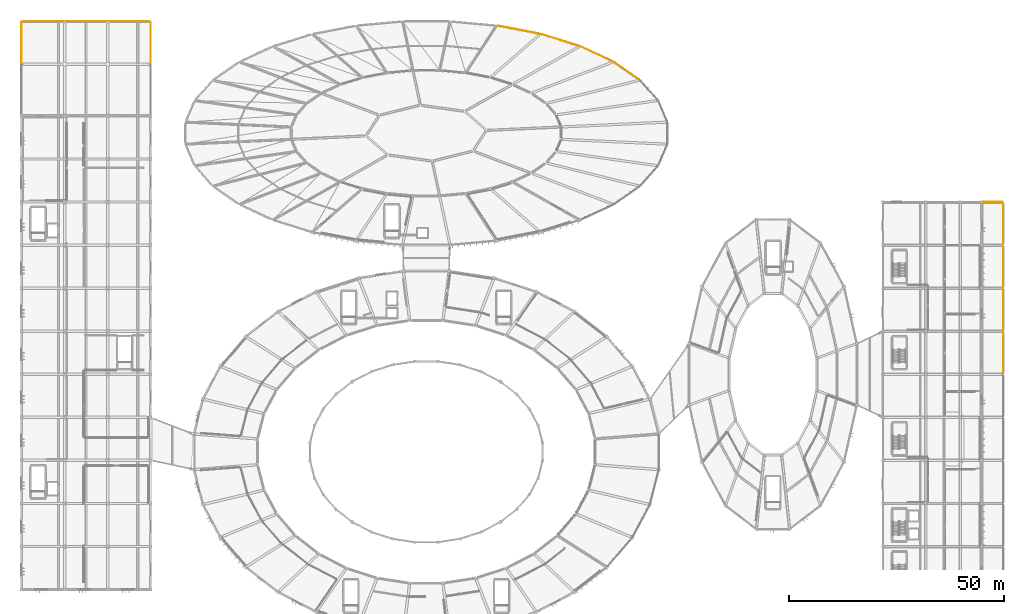
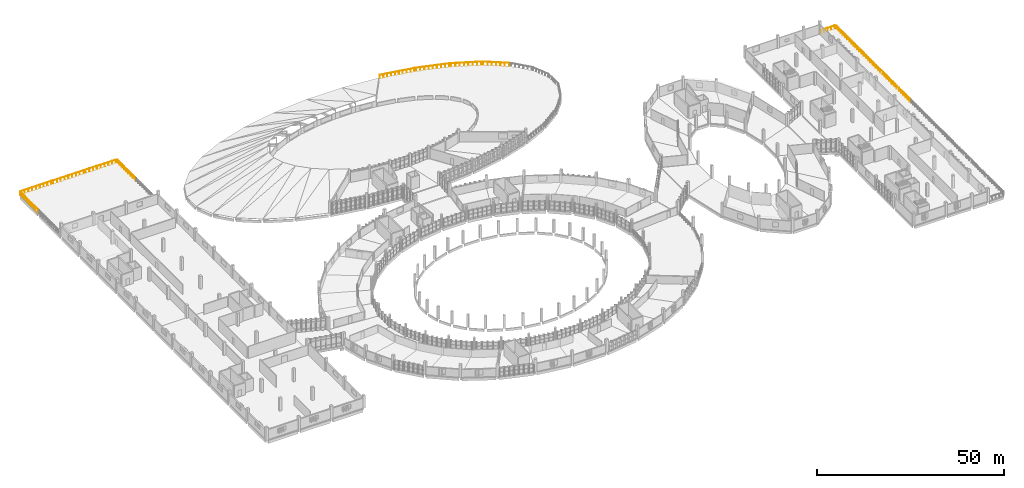
# One storey, part 142 of 142: 14 railings.
"""IFC4 building model written with IfcOpenShell, lengths in metres."""

from ifc_helpers import new_model, si_unit, direction, frame, origin, origin_2d, place, context, subcontext, project, spatial, circle, extrude, material, layer, layer_set, type_object, element, save


model = new_model("IFC4")

# Units and contexts
model_context = context("Model", 3, precision=1e-05, world=origin(), true_north=direction((0.0, 1.0)))
body_context = subcontext(model_context, "Body", "Model", "MODEL_VIEW")
ifc_project = project(units=[si_unit("LENGTHUNIT", "METRE"), si_unit("AREAUNIT", "SQUARE_METRE"), si_unit("VOLUMEUNIT", "CUBIC_METRE"), si_unit("PLANEANGLEUNIT", "RADIAN"), si_unit("MASSUNIT", "GRAM", prefix="KILO")], contexts=[model_context])

# Site, building, storey
site_placement = place(None, origin())
site = spatial("IfcSite", under=ifc_project, at=site_placement, CompositionType="ELEMENT")
building_placement = place(site_placement, origin())
building = spatial("IfcBuilding", under=site, at=building_placement, Name="Corvandel Quay Wholesale Market", CompositionType="ELEMENT")
storey_placement = place(building_placement, frame((0.0, 0.0, 10.800048828125)))
storey = spatial("IfcBuildingStorey", under=building, at=storey_placement, Name="L02", CompositionType="ELEMENT", Elevation=10.800048828125)

# Railings
ifc_material = material(Name="Hot-dip galvanised painted steel", Category="steel")
ifc_layer = layer(ifc_material, 0.06005859375)
ifc_layer_set = layer_set([ifc_layer], Name="Hot-dip galvanised painted steel")
railing_type = type_object("IfcRailingType", Name="Galvanised Steel Guard Balustrade GR01 1100mm", PredefinedType="BALUSTRADE", material=ifc_layer_set)
railing_1_placement = place(storey_placement, frame((163.429931640625, 128.452880859375, 0.0)))
element("IfcRailing", 1, at=railing_1_placement, inside=storey, type_object=railing_type, Name="Oval Roof Garden Guard GR-0011", PredefinedType="BALUSTRADE", context=body_context, shape_type="SweptSolid", body=[
    extrude(circle(Radius=0.02392578125, at=origin_2d()), frame((0.0, 0.0, 1.076171875), z_axis=(-0.821263481182, 0.57054911662, 0.0), x_axis=(-0.57054911662, -0.821263481182, 0.0)), (0.0, 0.0, 1.0), 6.98291015625),
    extrude(circle(Radius=0.02099609375, at=origin_2d()), origin(), (0.0, 0.0, 1.0), 1.052001953125),
    extrude(circle(Radius=0.02099609375, at=origin_2d()), frame((-0.955810546875, 0.6640625, 0.0)), (0.0, 0.0, 1.0), 1.052001953125),
    extrude(circle(Radius=0.02099609375, at=origin_2d()), frame((-1.91162109375, 1.328125, 0.0)), (0.0, 0.0, 1.0), 1.052001953125),
    extrude(circle(Radius=0.02099609375, at=origin_2d()), frame((-2.867431640625, 1.9921875, 0.0)), (0.0, 0.0, 1.0), 1.052001953125),
    extrude(circle(Radius=0.02099609375, at=origin_2d()), frame((-3.8232421875, 2.656005859375, 0.0)), (0.0, 0.0, 1.0), 1.052001953125),
    extrude(circle(Radius=0.02099609375, at=origin_2d()), frame((-4.779052734375, 3.320068359375, 0.0)), (0.0, 0.0, 1.0), 1.052001953125),
    extrude(circle(Radius=0.02099609375, at=origin_2d()), frame((-5.73486328125, 3.984130859375, 0.0)), (0.0, 0.0, 1.0), 1.052001953125),
])
railing_2_placement = place(storey_placement, frame((157.280029296875, 132.675048828125, 0.0)))
element("IfcRailing", 2, at=railing_2_placement, inside=storey, type_object=railing_type, Name="Oval Roof Garden Guard GR-0012", PredefinedType="BALUSTRADE", context=body_context, shape_type="SweptSolid", body=[
    extrude(circle(Radius=0.02392578125, at=origin_2d()), frame((0.0, 0.0, 1.076171875), z_axis=(-0.906965894859, 0.421204066412, 0.0), x_axis=(-0.421204066412, -0.906965894859, 0.0)), (0.0, 0.0, 1.0), 8.119384765625),
    extrude(circle(Radius=0.02099609375, at=origin_2d()), origin(), (0.0, 0.0, 1.0), 1.052001953125),
    extrude(circle(Radius=0.02099609375, at=origin_2d()), frame((-1.052001953125, 0.488525390625, 0.0)), (0.0, 0.0, 1.0), 1.052001953125),
    extrude(circle(Radius=0.02099609375, at=origin_2d()), frame((-2.10400390625, 0.97705078125, 0.0)), (0.0, 0.0, 1.0), 1.052001953125),
    extrude(circle(Radius=0.02099609375, at=origin_2d()), frame((-3.156005859375, 1.465576171875, 0.0)), (0.0, 0.0, 1.0), 1.052001953125),
    extrude(circle(Radius=0.02099609375, at=origin_2d()), frame((-4.2080078125, 1.954345703125, 0.0)), (0.0, 0.0, 1.0), 1.052001953125),
    extrude(circle(Radius=0.02099609375, at=origin_2d()), frame((-5.260009765625, 2.44287109375, 0.0)), (0.0, 0.0, 1.0), 1.052001953125),
    extrude(circle(Radius=0.02099609375, at=origin_2d()), frame((-6.31201171875, 2.931396484375, 0.0)), (0.0, 0.0, 1.0), 1.052001953125),
    extrude(circle(Radius=0.02099609375, at=origin_2d()), frame((-7.364013671875, 3.419921875, 0.0)), (0.0, 0.0, 1.0), 1.052001953125),
])
railing_3_placement = place(storey_placement, frame((149.468994140625, 136.26708984375, 0.0)))
element("IfcRailing", 3, at=railing_3_placement, inside=storey, type_object=railing_type, Name="Oval Roof Garden Guard GR-0013", PredefinedType="BALUSTRADE", context=body_context, shape_type="SweptSolid", body=[
    extrude(circle(Radius=0.02392578125, at=origin_2d()), frame((0.0, 0.0, 1.076171875), z_axis=(-0.955110619628, 0.296249395397, 0.0), x_axis=(-0.296249395397, -0.955110619628, 0.0)), (0.0, 0.0, 1.0), 9.123779296875),
    extrude(circle(Radius=0.02099609375, at=origin_2d()), origin(), (0.0, 0.0, 1.0), 1.052001953125),
    extrude(circle(Radius=0.02099609375, at=origin_2d()), frame((-1.08935546875, 0.337890625, 0.0)), (0.0, 0.0, 1.0), 1.052001953125),
    extrude(circle(Radius=0.02099609375, at=origin_2d()), frame((-2.178466796875, 0.67578125, 0.0)), (0.0, 0.0, 1.0), 1.052001953125),
    extrude(circle(Radius=0.02099609375, at=origin_2d()), frame((-3.267822265625, 1.013671875, 0.0)), (0.0, 0.0, 1.0), 1.052001953125),
    extrude(circle(Radius=0.02099609375, at=origin_2d()), frame((-4.35693359375, 1.3515625, 0.0)), (0.0, 0.0, 1.0), 1.052001953125),
    extrude(circle(Radius=0.02099609375, at=origin_2d()), frame((-5.4462890625, 1.689208984375, 0.0)), (0.0, 0.0, 1.0), 1.052001953125),
    extrude(circle(Radius=0.02099609375, at=origin_2d()), frame((-6.53564453125, 2.027099609375, 0.0)), (0.0, 0.0, 1.0), 1.052001953125),
    extrude(circle(Radius=0.02099609375, at=origin_2d()), frame((-7.624755859375, 2.364990234375, 0.0)), (0.0, 0.0, 1.0), 1.052001953125),
    extrude(circle(Radius=0.02099609375, at=origin_2d()), frame((-8.714111328125, 2.702880859375, 0.0)), (0.0, 0.0, 1.0), 1.052001953125),
])
railing_4_placement = place(storey_placement, frame((140.2900390625, 139.0859375, 0.0)))
element("IfcRailing", 4, at=railing_4_placement, inside=storey, type_object=railing_type, Name="Oval Roof Garden Guard GR-0014", PredefinedType="BALUSTRADE", context=body_context, shape_type="SweptSolid", body=[
    extrude(circle(Radius=0.02392578125, at=origin_2d()), frame((0.0, 0.0, 1.076171875), z_axis=(-0.981986207708, 0.188952607477, 0.0), x_axis=(-0.188952607477, -0.981986207708, 0.0)), (0.0, 0.0, 1.0), 9.897216796875),
    extrude(circle(Radius=0.02099609375, at=origin_2d()), origin(), (0.0, 0.0, 1.0), 1.052001953125),
    extrude(circle(Radius=0.02099609375, at=origin_2d()), frame((-1.079833984375, 0.207763671875, 0.0)), (0.0, 0.0, 1.0), 1.052001953125),
    extrude(circle(Radius=0.02099609375, at=origin_2d()), frame((-2.15966796875, 0.41552734375, 0.0)), (0.0, 0.0, 1.0), 1.052001953125),
    extrude(circle(Radius=0.02099609375, at=origin_2d()), frame((-3.23974609375, 0.623291015625, 0.0)), (0.0, 0.0, 1.0), 1.052001953125),
    extrude(circle(Radius=0.02099609375, at=origin_2d()), frame((-4.319580078125, 0.8310546875, 0.0)), (0.0, 0.0, 1.0), 1.052001953125),
    extrude(circle(Radius=0.02099609375, at=origin_2d()), frame((-5.3994140625, 1.0390625, 0.0)), (0.0, 0.0, 1.0), 1.052001953125),
    extrude(circle(Radius=0.02099609375, at=origin_2d()), frame((-6.479248046875, 1.246826171875, 0.0)), (0.0, 0.0, 1.0), 1.052001953125),
    extrude(circle(Radius=0.02099609375, at=origin_2d()), frame((-7.559326171875, 1.45458984375, 0.0)), (0.0, 0.0, 1.0), 1.052001953125),
    extrude(circle(Radius=0.02099609375, at=origin_2d()), frame((-8.63916015625, 1.662353515625, 0.0)), (0.0, 0.0, 1.0), 1.052001953125),
    extrude(circle(Radius=0.02099609375, at=origin_2d()), frame((-9.718994140625, 1.8701171875, 0.0)), (0.0, 0.0, 1.0), 1.052001953125),
])
for number, where, name in (
    (5, (20.0, 132.300048828125, 0.0), "Cold Block Roof Terrace Guard GR-0022"),
    (6, (50.0, 132.300048828125, 0.0), "Cold Block East Terrace Guard GR-0023"),
):
    element("IfcRailing", number, at=place(storey_placement, frame(where)), inside=storey, type_object=railing_type, Name=name, PredefinedType="BALUSTRADE", context=body_context, shape_type="SweptSolid", body=[
        extrude(circle(Radius=0.02392578125, at=origin_2d()), frame((0.0, 0.0, 1.076171875), z_axis=(0.0, 1.0, 0.0), x_axis=(-1.0, 0.0, 0.0)), (0.0, 0.0, 1.0), 9.39990234375),
        extrude(circle(Radius=0.02099609375, at=origin_2d()), origin(), (0.0, 0.0, 1.0), 1.052001953125),
        extrude(circle(Radius=0.02099609375, at=origin_2d()), frame((0.0, 1.175048828125, 0.0)), (0.0, 0.0, 1.0), 1.052001953125),
        extrude(circle(Radius=0.02099609375, at=origin_2d()), frame((0.0, 2.35009765625, 0.0)), (0.0, 0.0, 1.0), 1.052001953125),
        extrude(circle(Radius=0.02099609375, at=origin_2d()), frame((0.0, 3.52490234375, 0.0)), (0.0, 0.0, 1.0), 1.052001953125),
        extrude(circle(Radius=0.02099609375, at=origin_2d()), frame((0.0, 4.699951171875, 0.0)), (0.0, 0.0, 1.0), 1.052001953125),
        extrude(circle(Radius=0.02099609375, at=origin_2d()), frame((0.0, 5.875, 0.0)), (0.0, 0.0, 1.0), 1.052001953125),
        extrude(circle(Radius=0.02099609375, at=origin_2d()), frame((0.0, 7.0498046875, 0.0)), (0.0, 0.0, 1.0), 1.052001953125),
        extrude(circle(Radius=0.02099609375, at=origin_2d()), frame((0.0, 8.224853515625, 0.0)), (0.0, 0.0, 1.0), 1.052001953125),
        extrude(circle(Radius=0.02099609375, at=origin_2d()), frame((0.0, 9.39990234375, 0.0)), (0.0, 0.0, 1.0), 1.052001953125),
    ])
for number, where, name in (
    (7, (20.300048828125, 142.0, 0.0), "Cold Block North Terrace Guard GR-0024"),
    (8, (30.300048828125, 142.0, 0.0), "Cold Block North Terrace Guard GR-0025"),
    (9, (40.300048828125, 142.0, 0.0), "Cold Block North Terrace Guard GR-0026"),
):
    element("IfcRailing", number, at=place(storey_placement, frame(where)), inside=storey, type_object=railing_type, Name=name, PredefinedType="BALUSTRADE", context=body_context, shape_type="SweptSolid", body=[
        extrude(circle(Radius=0.02392578125, at=origin_2d()), frame((0.0, 0.0, 1.076171875), z_axis=(1.0, 0.0, 0.0), x_axis=(0.0, 1.0, 0.0)), (0.0, 0.0, 1.0), 9.39990234375),
        extrude(circle(Radius=0.02099609375, at=origin_2d()), origin(), (0.0, 0.0, 1.0), 1.052001953125),
        extrude(circle(Radius=0.02099609375, at=origin_2d()), frame((1.175048828125, 0.0, 0.0)), (0.0, 0.0, 1.0), 1.052001953125),
        extrude(circle(Radius=0.02099609375, at=origin_2d()), frame((2.35009765625, 0.0, 0.0)), (0.0, 0.0, 1.0), 1.052001953125),
        extrude(circle(Radius=0.02099609375, at=origin_2d()), frame((3.52490234375, 0.0, 0.0)), (0.0, 0.0, 1.0), 1.052001953125),
        extrude(circle(Radius=0.02099609375, at=origin_2d()), frame((4.699951171875, 0.0, 0.0)), (0.0, 0.0, 1.0), 1.052001953125),
        extrude(circle(Radius=0.02099609375, at=origin_2d()), frame((5.875, 0.0, 0.0)), (0.0, 0.0, 1.0), 1.052001953125),
        extrude(circle(Radius=0.02099609375, at=origin_2d()), frame((7.0498046875, 0.0, 0.0)), (0.0, 0.0, 1.0), 1.052001953125),
        extrude(circle(Radius=0.02099609375, at=origin_2d()), frame((8.224853515625, 0.0, 0.0)), (0.0, 0.0, 1.0), 1.052001953125),
        extrude(circle(Radius=0.02099609375, at=origin_2d()), frame((9.39990234375, 0.0, 0.0)), (0.0, 0.0, 1.0), 1.052001953125),
    ])
for number, where, name in (
    (10, (248.0, 60.300048828125, 0.0), "Harbour Terrace Guard L02 GR-0035"),
    (11, (248.0, 70.300048828125, 0.0), "Harbour Terrace Guard L02 GR-0036"),
    (12, (248.0, 80.300048828125, 0.0), "Harbour Terrace Guard L02 GR-0037"),
    (13, (248.0, 90.300048828125, 0.0), "Harbour Terrace Guard L02 GR-0038"),
):
    element("IfcRailing", number, at=place(storey_placement, frame(where)), inside=storey, type_object=railing_type, Name=name, PredefinedType="BALUSTRADE", context=body_context, shape_type="SweptSolid", body=[
        extrude(circle(Radius=0.02392578125, at=origin_2d()), frame((0.0, 0.0, 1.076171875), z_axis=(0.0, 1.0, 0.0), x_axis=(-1.0, 0.0, 0.0)), (0.0, 0.0, 1.0), 9.39990234375),
        extrude(circle(Radius=0.02099609375, at=origin_2d()), origin(), (0.0, 0.0, 1.0), 1.052001953125),
        extrude(circle(Radius=0.02099609375, at=origin_2d()), frame((0.0, 1.175048828125, 0.0)), (0.0, 0.0, 1.0), 1.052001953125),
        extrude(circle(Radius=0.02099609375, at=origin_2d()), frame((0.0, 2.35009765625, 0.0)), (0.0, 0.0, 1.0), 1.052001953125),
        extrude(circle(Radius=0.02099609375, at=origin_2d()), frame((0.0, 3.52490234375, 0.0)), (0.0, 0.0, 1.0), 1.052001953125),
        extrude(circle(Radius=0.02099609375, at=origin_2d()), frame((0.0, 4.699951171875, 0.0)), (0.0, 0.0, 1.0), 1.052001953125),
        extrude(circle(Radius=0.02099609375, at=origin_2d()), frame((0.0, 5.875, 0.0)), (0.0, 0.0, 1.0), 1.052001953125),
        extrude(circle(Radius=0.02099609375, at=origin_2d()), frame((0.0, 7.0498046875, 0.0)), (0.0, 0.0, 1.0), 1.052001953125),
        extrude(circle(Radius=0.02099609375, at=origin_2d()), frame((0.0, 8.224853515625, 0.0)), (0.0, 0.0, 1.0), 1.052001953125),
        extrude(circle(Radius=0.02099609375, at=origin_2d()), frame((0.0, 9.39990234375, 0.0)), (0.0, 0.0, 1.0), 1.052001953125),
    ])
railing_5_placement = place(storey_placement, frame((243.300048828125, 100.0, 0.0)))
element("IfcRailing", 14, at=railing_5_placement, inside=storey, type_object=railing_type, Name="North Terrace Return Guard L02 GR-0040", PredefinedType="BALUSTRADE", context=body_context, shape_type="SweptSolid", body=[
    extrude(circle(Radius=0.02392578125, at=origin_2d()), frame((0.0, 0.0, 1.076171875), z_axis=(1.0, 0.0, 0.0), x_axis=(0.0, 1.0, 0.0)), (0.0, 0.0, 1.0), 4.39990234375),
    extrude(circle(Radius=0.02099609375, at=origin_2d()), origin(), (0.0, 0.0, 1.0), 1.052001953125),
    extrude(circle(Radius=0.02099609375, at=origin_2d()), frame((1.10009765625, 0.0, 0.0)), (0.0, 0.0, 1.0), 1.052001953125),
    extrude(circle(Radius=0.02099609375, at=origin_2d()), frame((2.199951171875, 0.0, 0.0)), (0.0, 0.0, 1.0), 1.052001953125),
    extrude(circle(Radius=0.02099609375, at=origin_2d()), frame((3.2998046875, 0.0, 0.0)), (0.0, 0.0, 1.0), 1.052001953125),
    extrude(circle(Radius=0.02099609375, at=origin_2d()), frame((4.39990234375, 0.0, 0.0)), (0.0, 0.0, 1.0), 1.052001953125),
])

save(model, "model.ifc")
